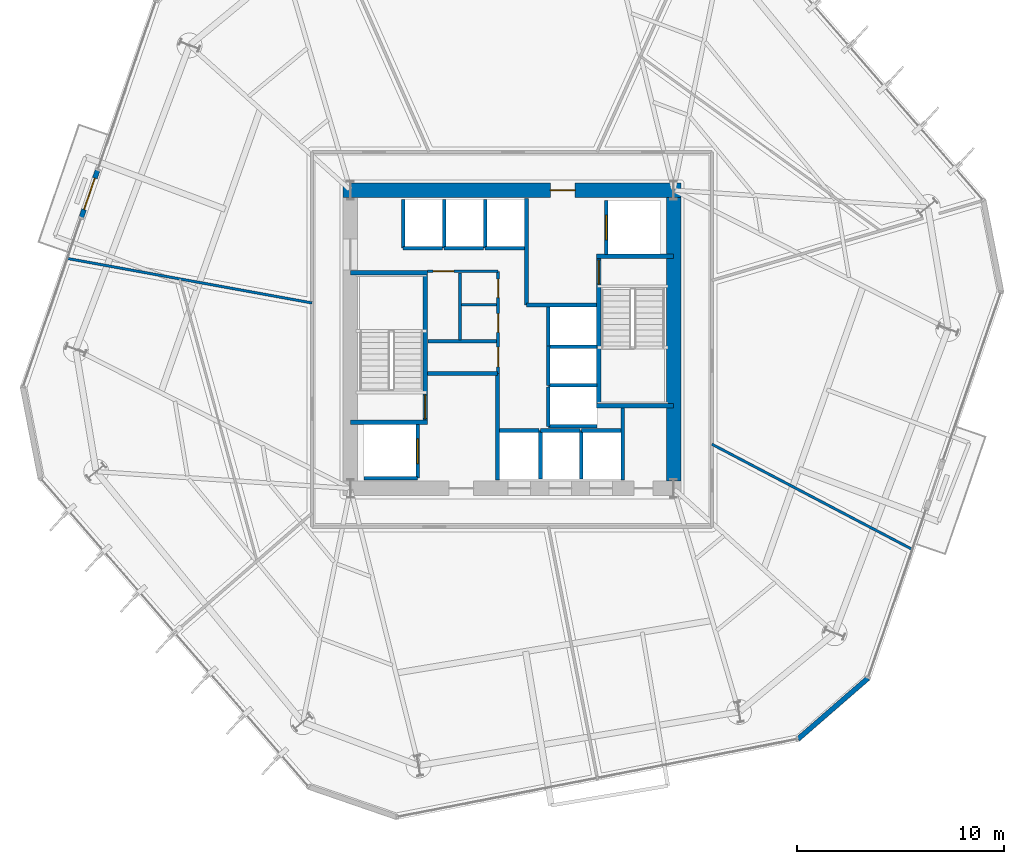
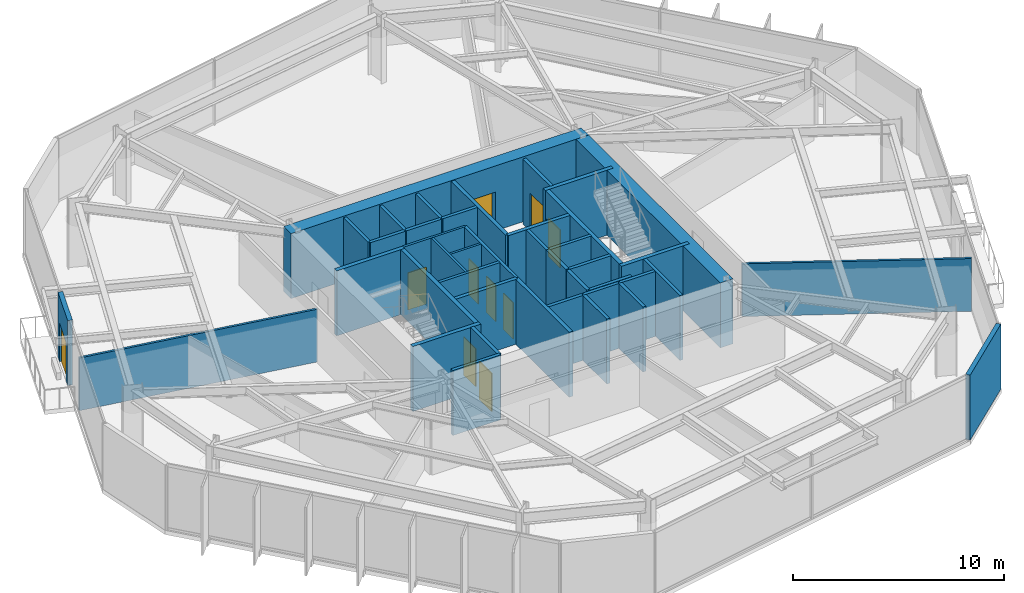
# One storey, part 6 of 10: 42 walls, 10 doors, 10 openings.
"""IFC4 building model written with IfcOpenShell, lengths in metres."""

from ifc_helpers import new_model, si_unit, direction, frame, frame_2d, origin, place, context, subcontext, project, spatial, rectangle, extrude, material, layer, layer_set, type_object, element, fill, save


model = new_model("IFC4")

# Units and contexts
model_context = context("Model", 3, precision=1e-05, world=origin(), true_north=direction((0.0, 1.0)))
body_context = subcontext(model_context, "Body", "Model", "MODEL_VIEW")
ifc_project = project(units=[si_unit("LENGTHUNIT", "METRE"), si_unit("AREAUNIT", "SQUARE_METRE"), si_unit("VOLUMEUNIT", "CUBIC_METRE"), si_unit("PLANEANGLEUNIT", "RADIAN"), si_unit("MASSUNIT", "GRAM", prefix="KILO")], contexts=[model_context])

# Site, building, storey
site_placement = place(None, origin())
site = spatial("IfcSite", under=ifc_project, at=site_placement, CompositionType="ELEMENT")
building_placement = place(site_placement, origin())
building = spatial("IfcBuilding", under=site, at=building_placement, Name="Kranzbogen Civic Tower", CompositionType="ELEMENT")
storey_placement = place(building_placement, frame((0.0, 0.0, 64.0)))
storey = spatial("IfcBuildingStorey", under=building, at=storey_placement, Name="L15", CompositionType="ELEMENT", Elevation=64.0)

# Wall, opening, door
ifc_material_1 = material(Name="Insulated Metal-Stud Gypsum Partition")
ifc_layer_1 = layer(ifc_material_1, 0.125, Name="Insulated Metal-Stud Gypsum Partition")
ifc_layer_set_1 = layer_set([ifc_layer_1], Name="Insulated Metal-Stud Gypsum Partition")
wall_type_1 = type_object("IfcWallType", Name="Acoustic Inter-Room Partition 125 mm", PredefinedType="PARTITIONING", material=ifc_layer_set_1)
wall_1_placement = place(storey_placement, frame((20.919921875, 28.280029296875, 0.0), z_axis=(0.0, 0.0, 1.0), x_axis=(1.0, 0.0, 0.0)))
wall_1 = element("IfcWall", 1, at=wall_1_placement, inside=storey, type_object=wall_type_1, Name="L15 core auxiliary North wall", PredefinedType="PARTITIONING", context=body_context, shape_type="SweptSolid", body=[
    extrude(rectangle(XDim=3.405029296875, YDim=0.125, at=frame_2d((1.70263671875, 0.0))), origin(), (0.0, 0.0, 1.0), 3.760009765625),
])
opening_1_placement = place(wall_1_placement, frame((0.27001953125, 0.0, 0.0)))
opening_1 = element("IfcOpeningElement", 2, at=opening_1_placement, cuts=wall_1, Name="Opening D-RSR10", PredefinedType="OPENING", context=body_context, shape_type="SweptSolid", body=[
    extrude(rectangle(XDim=1.0, YDim=2.14990234375, at=frame_2d((0.5, 1.074951171875))), frame((0.0, 0.072509765625, 0.0), z_axis=(0.0, -1.0, 0.0), x_axis=(1.0, 0.0, 0.0)), (0.0, 0.0, 1.0), 0.14501953125),
])
ifc_material_2 = material(Name="Oak Timber and Fire Core", Category="wood")
door_type_1 = type_object("IfcDoorType", Name="Core Archive and Riser Fire Door 1000x2150", OperationType="NOTDEFINED", PredefinedType="DOOR", material=ifc_material_2)
door_1_placement = place(opening_1_placement, origin())
door_1 = element("IfcDoor", 3, at=door_1_placement, inside=storey, type_object=door_type_1, Name="L15 Floor Supply Store door", OperationType="SINGLE_SWING_LEFT", OverallHeight=2.14990234375, OverallWidth=1.0, PredefinedType="DOOR", context=body_context, shape_type="SweptSolid", body=[
    extrude(rectangle(XDim=1.0, YDim=2.14990234375, at=frame_2d((0.5, 1.074951171875))), frame((0.0, 0.02490234375, 0.0), z_axis=(0.0, -1.0, 0.0), x_axis=(1.0, 0.0, 0.0)), (0.0, 0.0, 1.0), 0.050048828125),
])
fill(opening_1, door_1)

# Walls
wall_2_placement = place(storey_placement, frame((22.489990234375, 24.969970703125, 0.0), z_axis=(0.0, 0.0, 1.0), x_axis=(0.0, 1.0, 0.0)))
element("IfcWall", 4, at=wall_2_placement, inside=storey, type_object=wall_type_1, Name="L15 core auxiliary partition 2", PredefinedType="PARTITIONING", context=body_context, shape_type="SweptSolid", body=[
    extrude(rectangle(XDim=3.22998046875, YDim=0.125, at=frame_2d((1.614990234375, 0.0))), origin(), (0.0, 0.0, 1.0), 3.760009765625),
])
wall_3_placement = place(storey_placement, frame((22.550048828125, 26.659912109375, 0.0), z_axis=(0.0, 0.0, 1.0), x_axis=(1.0, 0.0, 0.0)))
element("IfcWall", 5, at=wall_3_placement, inside=storey, type_object=wall_type_1, Name="L15 core auxiliary partition 3", PredefinedType="PARTITIONING", context=body_context, shape_type="SweptSolid", body=[
    extrude(rectangle(XDim=1.699951171875, YDim=0.125, at=frame_2d((0.85009765625, 0.0))), origin(), (0.0, 0.0, 1.0), 3.760009765625),
])
wall_4_placement = place(storey_placement, frame((15.35009765625, 26.7548828125, 0.0), z_axis=(0.0, 0.0, 1.0), x_axis=(-0.983855255801, 0.178966018093, 0.0)))
element("IfcWall", 6, at=wall_4_placement, inside=storey, type_object=wall_type_1, Name="L15 radial room partition 03", PredefinedType="PARTITIONING", context=body_context, shape_type="SweptSolid", body=[
    extrude(rectangle(XDim=11.997802734375, YDim=0.125, at=frame_2d((5.9990234375, 0.0))), origin(), (0.0, 0.0, 1.0), 3.050048828125),
])
wall_5_placement = place(storey_placement, frame((34.64990234375, 19.93603515625, 0.0), z_axis=(0.0, 0.0, 1.0), x_axis=(0.885490007515, -0.464658419262, 0.0)))
element("IfcWall", 7, at=wall_5_placement, inside=storey, type_object=wall_type_1, Name="L15 radial room partition 06", PredefinedType="PARTITIONING", context=body_context, shape_type="SweptSolid", body=[
    extrude(rectangle(XDim=10.9072265625, YDim=0.125, at=frame_2d((5.45361328125, 0.0))), origin(), (0.0, 0.0, 1.0), 3.050048828125),
])

# Wall, opening, door
ifc_material_3 = material(Name="Concrete C55/67", Category="concrete")
ifc_layer_2 = layer(ifc_material_3, 0.699951171875, Name="Concrete C55/67")
ifc_layer_set_2 = layer_set([ifc_layer_2], Name="Concrete C55/67")
wall_type_2 = type_object("IfcWallType", Name="Central Core Shear Wall 700 mm", PredefinedType="SHEAR", material=ifc_layer_set_2)
wall_6_placement = place(storey_placement, frame((33.14990234375, 32.199951171875, 0.0), z_axis=(0.0, 0.0, 1.0), x_axis=(-1.0, 0.0, 0.0)))
wall_6 = element("IfcWall", 8, at=wall_6_placement, inside=storey, type_object=wall_type_2, Name="L15 central core North shear wall", PredefinedType="SHEAR", context=body_context, shape_type="SweptSolid", body=[
    extrude(rectangle(XDim=16.2998046875, YDim=0.699951171875, at=frame_2d((8.14990234375, 0.0))), origin(), (0.0, 0.0, 1.0), 3.760009765625),
])
opening_2_placement = place(wall_6_placement, frame((5.10009765625, 0.0, 0.0)))
opening_2 = element("IfcOpeningElement", 9, at=opening_2_placement, cuts=wall_6, Name="Opening D-EX120", PredefinedType="OPENING", context=body_context, shape_type="SweptSolid", body=[
    extrude(rectangle(XDim=1.199951171875, YDim=2.25, at=frame_2d((0.60009765625, 1.125))), frame((0.0, 0.35986328125, 0.0), z_axis=(0.0, -1.0, 0.0), x_axis=(1.0, 0.0, 0.0)), (0.0, 0.0, 1.0), 0.719970703125),
])
ifc_material_4 = material(Name="Steel S355", Category="steel")
door_type_2 = type_object("IfcDoorType", Name="Exit Passageway Fire Door 1200x2250", OperationType="NOTDEFINED", PredefinedType="DOOR", material=ifc_material_4)
door_2_placement = place(opening_2_placement, origin())
door_2 = element("IfcDoor", 10, at=door_2_placement, inside=storey, type_object=door_type_2, Name="L15 East firefighting lobby corridor door", OperationType="SINGLE_SWING_LEFT", OverallHeight=2.25, OverallWidth=1.199951171875, PredefinedType="DOOR", context=body_context, shape_type="SweptSolid", body=[
    extrude(rectangle(XDim=1.199951171875, YDim=2.25, at=frame_2d((0.60009765625, 1.125))), frame((0.0, 0.02490234375, 0.0), z_axis=(0.0, -1.0, 0.0), x_axis=(1.0, 0.0, 0.0)), (0.0, 0.0, 1.0), 0.050048828125),
])
fill(opening_2, door_2)

# Wall
wall_7_placement = place(storey_placement, frame((32.800048828125, 18.14990234375, 0.0), z_axis=(0.0, 0.0, 1.0), x_axis=(0.0, 1.0, 0.0)))
element("IfcWall", 11, at=wall_7_placement, inside=storey, type_object=wall_type_2, Name="L15 central core East shear wall", PredefinedType="SHEAR", context=body_context, shape_type="SweptSolid", body=[
    extrude(rectangle(XDim=13.7001953125, YDim=0.699951171875, at=frame_2d((6.85009765625, 0.0))), origin(), (0.0, 0.0, 1.0), 3.760009765625),
])

# Wall, opening, door
ifc_material_5 = material(Name="Concrete C45/55", Category="concrete")
ifc_layer_3 = layer(ifc_material_5, 0.219970703125, Name="Concrete C45/55")
ifc_layer_set_3 = layer_set([ifc_layer_3], Name="Concrete C45/55")
wall_type_3 = type_object("IfcWallType", Name="Core Internal Stair Structural Wall 220 mm", PredefinedType="SOLIDWALL", material=ifc_layer_set_3)
wall_8_placement = place(storey_placement, frame((20.81005859375, 20.989990234375, 0.0), z_axis=(0.0, 0.0, 1.0), x_axis=(0.0, 1.0, 0.0)))
wall_8 = element("IfcWall", 12, at=wall_8_placement, inside=storey, type_object=wall_type_3, Name="L15 ST-T1 East structural stair wall", PredefinedType="SOLIDWALL", context=body_context, shape_type="SweptSolid", body=[
    extrude(rectangle(XDim=7.219970703125, YDim=0.219970703125, at=frame_2d((3.60986328125, 0.0))), origin(), (0.0, 0.0, 1.0), 3.760009765625),
])
opening_3_placement = place(wall_8_placement, frame((0.179931640625, 0.0, 0.0)))
opening_3 = element("IfcOpeningElement", 13, at=opening_3_placement, cuts=wall_8, Name="Opening D-ST90", PredefinedType="OPENING", context=body_context, shape_type="SweptSolid", body=[
    extrude(rectangle(XDim=1.14990234375, YDim=2.199951171875, at=frame_2d((0.574951171875, 1.10009765625))), frame((0.0, 0.1201171875, 0.0), z_axis=(0.0, -1.0, 0.0), x_axis=(1.0, 0.0, 0.0)), (0.0, 0.0, 1.0), 0.239990234375),
])
door_type_3 = type_object("IfcDoorType", Name="Pressurized Stair and Lobby Fire Door 1150x2200", OperationType="NOTDEFINED", PredefinedType="DOOR", material=ifc_material_4)
door_3_placement = place(opening_3_placement, origin())
door_3 = element("IfcDoor", 14, at=door_3_placement, inside=storey, type_object=door_type_3, Name="L15 Stair ST-T1 fire door", OperationType="SINGLE_SWING_RIGHT", OverallHeight=2.199951171875, OverallWidth=1.14990234375, PredefinedType="DOOR", context=body_context, shape_type="SweptSolid", body=[
    extrude(rectangle(XDim=1.14990234375, YDim=2.199951171875, at=frame_2d((0.574951171875, 1.10009765625))), frame((0.0, 0.02490234375, 0.0), z_axis=(0.0, -1.0, 0.0), x_axis=(1.0, 0.0, 0.0)), (0.0, 0.0, 1.0), 0.050048828125),
])
fill(opening_3, door_3)

# Walls
for number, where, z_axis, x_axis, name in (
    (15, (17.199951171875, 20.989990234375, 0.0), (0.0, 0.0, 1.0), (1.0, 0.0, 0.0), "L15 ST-T1 South structural stair wall"),
    (16, (17.199951171875, 28.2099609375, 0.0), (0.0, 0.0, 1.0), (1.0, 0.0, 0.0), "L15 ST-T1 North structural stair wall"),
):
    element("IfcWall", number, at=place(storey_placement, frame(where, z_axis=z_axis, x_axis=x_axis)), inside=storey, type_object=wall_type_3, Name=name, PredefinedType="SOLIDWALL", context=body_context, shape_type="SweptSolid", body=[
        extrude(rectangle(XDim=3.719970703125, YDim=0.219970703125, at=frame_2d((1.85986328125, 0.0))), origin(), (0.0, 0.0, 1.0), 3.760009765625),
    ])

# Wall, opening, door
wall_9_placement = place(storey_placement, frame((29.18994140625, 21.7900390625, 0.0), z_axis=(0.0, 0.0, 1.0), x_axis=(0.0, 1.0, 0.0)))
wall_9 = element("IfcWall", 17, at=wall_9_placement, inside=storey, type_object=wall_type_3, Name="L15 ST-T2 West structural stair wall", PredefinedType="SOLIDWALL", context=body_context, shape_type="SweptSolid", body=[
    extrude(rectangle(XDim=7.219970703125, YDim=0.219970703125, at=frame_2d((3.60986328125, 0.0))), origin(), (0.0, 0.0, 1.0), 3.760009765625),
])
opening_4_placement = place(wall_9_placement, frame((5.8798828125, 0.0, 0.0)))
opening_4 = element("IfcOpeningElement", 18, at=opening_4_placement, cuts=wall_9, Name="Opening D-ST90", PredefinedType="OPENING", context=body_context, shape_type="SweptSolid", body=[
    extrude(rectangle(XDim=1.14990234375, YDim=2.199951171875, at=frame_2d((0.574951171875, 1.10009765625))), frame((0.0, 0.1201171875, 0.0), z_axis=(0.0, -1.0, 0.0), x_axis=(1.0, 0.0, 0.0)), (0.0, 0.0, 1.0), 0.239990234375),
])
door_4_placement = place(opening_4_placement, origin())
door_4 = element("IfcDoor", 19, at=door_4_placement, inside=storey, type_object=door_type_3, Name="L15 Stair ST-T2 fire door", OperationType="SINGLE_SWING_LEFT", OverallHeight=2.199951171875, OverallWidth=1.14990234375, PredefinedType="DOOR", context=body_context, shape_type="SweptSolid", body=[
    extrude(rectangle(XDim=1.14990234375, YDim=2.199951171875, at=frame_2d((0.574951171875, 1.10009765625))), frame((0.0, 0.02490234375, 0.0), z_axis=(0.0, -1.0, 0.0), x_axis=(1.0, 0.0, 0.0)), (0.0, 0.0, 1.0), 0.050048828125),
])
fill(opening_4, door_4)

# Walls
for number, where, z_axis, x_axis, name in (
    (20, (29.080078125, 21.7900390625, 0.0), (0.0, 0.0, 1.0), (1.0, 0.0, 0.0), "L15 ST-T2 South structural stair wall"),
    (21, (29.080078125, 29.010009765625, 0.0), (0.0, 0.0, 1.0), (1.0, 0.0, 0.0), "L15 ST-T2 North structural stair wall"),
):
    element("IfcWall", number, at=place(storey_placement, frame(where, z_axis=z_axis, x_axis=x_axis)), inside=storey, type_object=wall_type_3, Name=name, PredefinedType="SOLIDWALL", context=body_context, shape_type="SweptSolid", body=[
        extrude(rectangle(XDim=3.719970703125, YDim=0.219970703125, at=frame_2d((1.85986328125, 0.0))), origin(), (0.0, 0.0, 1.0), 3.760009765625),
    ])
ifc_material_6 = material(Name="Gypsum Fireboard and Concrete Block", Category="concrete")
ifc_layer_4 = layer(ifc_material_6, 0.199951171875, Name="Gypsum Fireboard and Concrete Block")
ifc_layer_set_4 = layer_set([ifc_layer_4], Name="Gypsum Fireboard and Concrete Block")
wall_type_4 = type_object("IfcWallType", Name="Fire-Rated Exit Passageway and Stair Wall 200 mm", PredefinedType="PARTITIONING", material=ifc_layer_set_4)
wall_10_placement = place(storey_placement, frame((24.300048828125, 18.199951171875, 0.0), z_axis=(0.0, 0.0, 1.0), x_axis=(0.0, 1.0, 0.0)))
element("IfcWall", 22, at=wall_10_placement, inside=storey, type_object=wall_type_4, Name="L15 West firefighting lobby East wall", PredefinedType="PARTITIONING", context=body_context, shape_type="SweptSolid", body=[
    extrude(rectangle(XDim=5.150146484375, YDim=0.199951171875, at=frame_2d((2.5751953125, 0.0))), origin(), (0.0, 0.0, 1.0), 3.760009765625),
])
wall_11_placement = place(storey_placement, frame((20.919921875, 23.35009765625, 0.0), z_axis=(0.0, 0.0, 1.0), x_axis=(1.0, 0.0, 0.0)))
element("IfcWall", 23, at=wall_11_placement, inside=storey, type_object=wall_type_4, Name="L15 West firefighting lobby North wall", PredefinedType="PARTITIONING", context=body_context, shape_type="SweptSolid", body=[
    extrude(rectangle(XDim=3.380126953125, YDim=0.199951171875, at=frame_2d((1.68994140625, 0.0))), origin(), (0.0, 0.0, 1.0), 3.760009765625),
])
wall_12_placement = place(storey_placement, frame((25.699951171875, 26.64990234375, 0.0), z_axis=(0.0, 0.0, 1.0), x_axis=(0.0, 1.0, 0.0)))
element("IfcWall", 24, at=wall_12_placement, inside=storey, type_object=wall_type_4, Name="L15 East firefighting lobby West wall", PredefinedType="PARTITIONING", context=body_context, shape_type="SweptSolid", body=[
    extrude(rectangle(XDim=5.150146484375, YDim=0.199951171875, at=frame_2d((2.5751953125, 0.0))), origin(), (0.0, 0.0, 1.0), 3.760009765625),
])
wall_13_placement = place(storey_placement, frame((25.699951171875, 26.64990234375, 0.0), z_axis=(0.0, 0.0, 1.0), x_axis=(1.0, 0.0, 0.0)))
element("IfcWall", 25, at=wall_13_placement, inside=storey, type_object=wall_type_4, Name="L15 East firefighting lobby South wall", PredefinedType="PARTITIONING", context=body_context, shape_type="SweptSolid", body=[
    extrude(rectangle(XDim=3.380126953125, YDim=0.199951171875, at=frame_2d((1.68994140625, 0.0))), origin(), (0.0, 0.0, 1.0), 3.760009765625),
])
ifc_material_7 = material(Name="Gypsum Fireboard Shaftliner")
ifc_layer_5 = layer(ifc_material_7, 0.175048828125, Name="Gypsum Fireboard Shaftliner")
ifc_layer_set_5 = layer_set([ifc_layer_5], Name="Gypsum Fireboard Shaftliner")
wall_type_5 = type_object("IfcWallType", Name="Fire-Rated Lift and Service Shaft Wall 175 mm", PredefinedType="PARTITIONING", material=ifc_layer_set_5)
wall_14_placement = place(storey_placement, frame((30.35009765625, 18.199951171875, 0.0), z_axis=(0.0, 0.0, 1.0), x_axis=(0.0, 1.0, 0.0)))
element("IfcWall", 26, at=wall_14_placement, inside=storey, type_object=wall_type_5, Name="L15 East core riser West wall", PredefinedType="PARTITIONING", context=body_context, shape_type="SweptSolid", body=[
    extrude(rectangle(XDim=3.47998046875, YDim=0.175048828125, at=frame_2d((1.739990234375, 0.0))), origin(), (0.0, 0.0, 1.0), 3.760009765625),
])
wall_15_placement = place(storey_placement, frame((24.39990234375, 20.60009765625, 0.0), z_axis=(0.0, 0.0, 1.0), x_axis=(1.0, 0.0, 0.0)))
element("IfcWall", 27, at=wall_15_placement, inside=storey, type_object=wall_type_5, Name="L15 lift LP-01 rear wall", PredefinedType="PARTITIONING", context=body_context, shape_type="SweptSolid", body=[
    extrude(rectangle(XDim=1.900146484375, YDim=0.175048828125, at=frame_2d((0.9501953125, 0.0))), origin(), (0.0, 0.0, 1.0), 3.760009765625),
])
wall_16_placement = place(storey_placement, frame((26.375, 20.60009765625, 0.0), z_axis=(0.0, 0.0, 1.0), x_axis=(1.0, 0.0, 0.0)))
element("IfcWall", 28, at=wall_16_placement, inside=storey, type_object=wall_type_5, Name="L15 lift LP-02 rear wall", PredefinedType="PARTITIONING", context=body_context, shape_type="SweptSolid", body=[
    extrude(rectangle(XDim=1.89990234375, YDim=0.175048828125, at=frame_2d((0.949951171875, 0.0))), origin(), (0.0, 0.0, 1.0), 3.760009765625),
])
wall_17_placement = place(storey_placement, frame((26.375, 18.25, 0.0), z_axis=(0.0, 0.0, 1.0), x_axis=(0.0, 1.0, 0.0)))
element("IfcWall", 29, at=wall_17_placement, inside=storey, type_object=wall_type_5, Name="L15 lift LP-02 side wall", PredefinedType="PARTITIONING", context=body_context, shape_type="SweptSolid", body=[
    extrude(rectangle(XDim=2.35009765625, YDim=0.175048828125, at=frame_2d((1.175048828125, 0.0))), origin(), (0.0, 0.0, 1.0), 3.760009765625),
])
wall_18_placement = place(storey_placement, frame((28.35009765625, 20.60009765625, 0.0), z_axis=(0.0, 0.0, 1.0), x_axis=(1.0, 0.0, 0.0)))
element("IfcWall", 30, at=wall_18_placement, inside=storey, type_object=wall_type_5, Name="L15 lift LP-03 rear wall", PredefinedType="PARTITIONING", context=body_context, shape_type="SweptSolid", body=[
    extrude(rectangle(XDim=1.89990234375, YDim=0.175048828125, at=frame_2d((0.949951171875, 0.0))), origin(), (0.0, 0.0, 1.0), 3.760009765625),
])
wall_19_placement = place(storey_placement, frame((28.35009765625, 18.25, 0.0), z_axis=(0.0, 0.0, 1.0), x_axis=(0.0, 1.0, 0.0)))
element("IfcWall", 31, at=wall_19_placement, inside=storey, type_object=wall_type_5, Name="L15 lift LP-03 side wall", PredefinedType="PARTITIONING", context=body_context, shape_type="SweptSolid", body=[
    extrude(rectangle(XDim=2.35009765625, YDim=0.175048828125, at=frame_2d((1.175048828125, 0.0))), origin(), (0.0, 0.0, 1.0), 3.760009765625),
])
wall_20_placement = place(storey_placement, frame((19.75, 29.39990234375, 0.0), z_axis=(0.0, 0.0, 1.0), x_axis=(1.0, 0.0, 0.0)))
element("IfcWall", 32, at=wall_20_placement, inside=storey, type_object=wall_type_5, Name="L15 lift MP-01 rear wall", PredefinedType="PARTITIONING", context=body_context, shape_type="SweptSolid", body=[
    extrude(rectangle(XDim=1.89990234375, YDim=0.175048828125, at=frame_2d((0.949951171875, 0.0))), origin(), (0.0, 0.0, 1.0), 3.760009765625),
])
wall_21_placement = place(storey_placement, frame((19.75, 29.39990234375, 0.0), z_axis=(0.0, 0.0, 1.0), x_axis=(0.0, 1.0, 0.0)))
element("IfcWall", 33, at=wall_21_placement, inside=storey, type_object=wall_type_5, Name="L15 lift MP-01 side wall", PredefinedType="PARTITIONING", context=body_context, shape_type="SweptSolid", body=[
    extrude(rectangle(XDim=2.35009765625, YDim=0.175048828125, at=frame_2d((1.175048828125, 0.0))), origin(), (0.0, 0.0, 1.0), 3.760009765625),
])
wall_22_placement = place(storey_placement, frame((21.72509765625, 29.39990234375, 0.0), z_axis=(0.0, 0.0, 1.0), x_axis=(1.0, 0.0, 0.0)))
element("IfcWall", 34, at=wall_22_placement, inside=storey, type_object=wall_type_5, Name="L15 lift MP-02 rear wall", PredefinedType="PARTITIONING", context=body_context, shape_type="SweptSolid", body=[
    extrude(rectangle(XDim=1.89990234375, YDim=0.175048828125, at=frame_2d((0.949951171875, 0.0))), origin(), (0.0, 0.0, 1.0), 3.760009765625),
])
wall_23_placement = place(storey_placement, frame((21.72509765625, 29.39990234375, 0.0), z_axis=(0.0, 0.0, 1.0), x_axis=(0.0, 1.0, 0.0)))
element("IfcWall", 35, at=wall_23_placement, inside=storey, type_object=wall_type_5, Name="L15 lift MP-02 side wall", PredefinedType="PARTITIONING", context=body_context, shape_type="SweptSolid", body=[
    extrude(rectangle(XDim=2.35009765625, YDim=0.175048828125, at=frame_2d((1.175048828125, 0.0))), origin(), (0.0, 0.0, 1.0), 3.760009765625),
])
wall_24_placement = place(storey_placement, frame((23.699951171875, 29.39990234375, 0.0), z_axis=(0.0, 0.0, 1.0), x_axis=(1.0, 0.0, 0.0)))
element("IfcWall", 36, at=wall_24_placement, inside=storey, type_object=wall_type_5, Name="L15 lift MP-03 rear wall", PredefinedType="PARTITIONING", context=body_context, shape_type="SweptSolid", body=[
    extrude(rectangle(XDim=1.900146484375, YDim=0.175048828125, at=frame_2d((0.9501953125, 0.0))), origin(), (0.0, 0.0, 1.0), 3.760009765625),
])
wall_25_placement = place(storey_placement, frame((23.699951171875, 29.39990234375, 0.0), z_axis=(0.0, 0.0, 1.0), x_axis=(0.0, 1.0, 0.0)))
element("IfcWall", 37, at=wall_25_placement, inside=storey, type_object=wall_type_5, Name="L15 lift MP-03 side wall", PredefinedType="PARTITIONING", context=body_context, shape_type="SweptSolid", body=[
    extrude(rectangle(XDim=2.35009765625, YDim=0.175048828125, at=frame_2d((1.175048828125, 0.0))), origin(), (0.0, 0.0, 1.0), 3.760009765625),
])
wall_26_placement = place(storey_placement, frame((26.75, 20.800048828125, 0.0), z_axis=(0.0, 0.0, 1.0), x_axis=(0.0, 1.0, 0.0)))
element("IfcWall", 38, at=wall_26_placement, inside=storey, type_object=wall_type_5, Name="L15 lift HP-01 landing wall", PredefinedType="PARTITIONING", context=body_context, shape_type="SweptSolid", body=[
    extrude(rectangle(XDim=1.89990234375, YDim=0.175048828125, at=frame_2d((0.949951171875, 0.0))), origin(), (0.0, 0.0, 1.0), 3.760009765625),
])
wall_27_placement = place(storey_placement, frame((26.75, 20.800048828125, 0.0), z_axis=(0.0, 0.0, 1.0), x_axis=(1.0, 0.0, 0.0)))
element("IfcWall", 39, at=wall_27_placement, inside=storey, type_object=wall_type_5, Name="L15 lift HP-01 side wall", PredefinedType="PARTITIONING", context=body_context, shape_type="SweptSolid", body=[
    extrude(rectangle(XDim=2.35009765625, YDim=0.175048828125, at=frame_2d((1.175048828125, 0.0))), origin(), (0.0, 0.0, 1.0), 3.760009765625),
])
wall_28_placement = place(storey_placement, frame((26.75, 22.77490234375, 0.0), z_axis=(0.0, 0.0, 1.0), x_axis=(0.0, 1.0, 0.0)))
element("IfcWall", 40, at=wall_28_placement, inside=storey, type_object=wall_type_5, Name="L15 lift HP-02 landing wall", PredefinedType="PARTITIONING", context=body_context, shape_type="SweptSolid", body=[
    extrude(rectangle(XDim=1.900146484375, YDim=0.175048828125, at=frame_2d((0.9501953125, 0.0))), origin(), (0.0, 0.0, 1.0), 3.760009765625),
])
wall_29_placement = place(storey_placement, frame((26.75, 22.77490234375, 0.0), z_axis=(0.0, 0.0, 1.0), x_axis=(1.0, 0.0, 0.0)))
element("IfcWall", 41, at=wall_29_placement, inside=storey, type_object=wall_type_5, Name="L15 lift HP-02 side wall", PredefinedType="PARTITIONING", context=body_context, shape_type="SweptSolid", body=[
    extrude(rectangle(XDim=2.35009765625, YDim=0.175048828125, at=frame_2d((1.175048828125, 0.0))), origin(), (0.0, 0.0, 1.0), 3.760009765625),
])
wall_30_placement = place(storey_placement, frame((26.75, 24.64990234375, 0.0), z_axis=(0.0, 0.0, 1.0), x_axis=(0.0, 1.0, 0.0)))
element("IfcWall", 42, at=wall_30_placement, inside=storey, type_object=wall_type_5, Name="L15 lift HP-03 landing wall", PredefinedType="PARTITIONING", context=body_context, shape_type="SweptSolid", body=[
    extrude(rectangle(XDim=1.900146484375, YDim=0.175048828125, at=frame_2d((0.9501953125, 0.0))), origin(), (0.0, 0.0, 1.0), 3.760009765625),
])
wall_31_placement = place(storey_placement, frame((26.75, 24.64990234375, 0.0), z_axis=(0.0, 0.0, 1.0), x_axis=(1.0, 0.0, 0.0)))
element("IfcWall", 43, at=wall_31_placement, inside=storey, type_object=wall_type_5, Name="L15 lift HP-03 side wall", PredefinedType="PARTITIONING", context=body_context, shape_type="SweptSolid", body=[
    extrude(rectangle(XDim=2.35009765625, YDim=0.175048828125, at=frame_2d((1.175048828125, 0.0))), origin(), (0.0, 0.0, 1.0), 3.760009765625),
])

# Wall, opening, door
wall_32_placement = place(storey_placement, frame((20.449951171875, 18.300048828125, 0.0), z_axis=(0.0, 0.0, 1.0), x_axis=(0.0, 1.0, 0.0)))
wall_32 = element("IfcWall", 44, at=wall_32_placement, inside=storey, type_object=wall_type_5, Name="L15 lift FF-01 landing wall", PredefinedType="PARTITIONING", context=body_context, shape_type="SweptSolid", body=[
    extrude(rectangle(XDim=2.599853515625, YDim=0.175048828125, at=frame_2d((1.2998046875, 0.0))), origin(), (0.0, 0.0, 1.0), 3.760009765625),
])
opening_5_placement = place(wall_32_placement, frame((0.699951171875, 0.0, 0.0)))
opening_5 = element("IfcOpeningElement", 45, at=opening_5_placement, cuts=wall_32, Name="Opening LD-FF-01", PredefinedType="OPENING", context=body_context, shape_type="SweptSolid", body=[
    extrude(rectangle(XDim=1.199951171875, YDim=2.199951171875, at=frame_2d((0.60009765625, 1.10009765625))), frame((0.0, 0.09765625, 0.0), z_axis=(0.0, -1.0, 0.0), x_axis=(1.0, 0.0, 0.0)), (0.0, 0.0, 1.0), 0.195068359375),
])
ifc_material_8 = material(Name="Pale Anodised Aluminium", Category="aluminium")
door_type_4 = type_object("IfcDoorType", Name="Firefighting and Stretcher Lift Sliding Landing Door 1200x2200", OperationType="DOUBLE_DOOR_SLIDING", PredefinedType="DOOR", material=ifc_material_8)
door_5_placement = place(opening_5_placement, origin())
door_5 = element("IfcDoor", 46, at=door_5_placement, inside=storey, type_object=door_type_4, Name="L15 lift FF-01 sliding landing door", OperationType="DOUBLE_DOOR_SLIDING", OverallHeight=2.199951171875, OverallWidth=1.199951171875, PredefinedType="DOOR", context=body_context, shape_type="SweptSolid", body=[
    extrude(rectangle(XDim=1.199951171875, YDim=2.199951171875, at=frame_2d((0.60009765625, 1.10009765625))), frame((0.0, 0.02490234375, 0.0), z_axis=(0.0, -1.0, 0.0), x_axis=(1.0, 0.0, 0.0)), (0.0, 0.0, 1.0), 0.050048828125),
])
fill(opening_5, door_5)

# Wall
wall_33_placement = place(storey_placement, frame((17.85009765625, 18.300048828125, 0.0), z_axis=(0.0, 0.0, 1.0), x_axis=(1.0, 0.0, 0.0)))
element("IfcWall", 47, at=wall_33_placement, inside=storey, type_object=wall_type_5, Name="L15 lift FF-01 side wall", PredefinedType="PARTITIONING", context=body_context, shape_type="SweptSolid", body=[
    extrude(rectangle(XDim=2.599853515625, YDim=0.175048828125, at=frame_2d((1.2998046875, 0.0))), origin(), (0.0, 0.0, 1.0), 3.760009765625),
])

# Wall, opening, door
wall_34_placement = place(storey_placement, frame((29.550048828125, 29.10009765625, 0.0), z_axis=(0.0, 0.0, 1.0), x_axis=(0.0, 1.0, 0.0)))
wall_34 = element("IfcWall", 48, at=wall_34_placement, inside=storey, type_object=wall_type_5, Name="L15 lift FF-02 landing wall", PredefinedType="PARTITIONING", context=body_context, shape_type="SweptSolid", body=[
    extrude(rectangle(XDim=2.599853515625, YDim=0.175048828125, at=frame_2d((1.2998046875, 0.0))), origin(), (0.0, 0.0, 1.0), 3.760009765625),
])
opening_6_placement = place(wall_34_placement, frame((0.699951171875, 0.0, 0.0)))
opening_6 = element("IfcOpeningElement", 49, at=opening_6_placement, cuts=wall_34, Name="Opening LD-FF-02", PredefinedType="OPENING", context=body_context, shape_type="SweptSolid", body=[
    extrude(rectangle(XDim=1.199951171875, YDim=2.199951171875, at=frame_2d((0.60009765625, 1.10009765625))), frame((0.0, 0.09765625, 0.0), z_axis=(0.0, -1.0, 0.0), x_axis=(1.0, 0.0, 0.0)), (0.0, 0.0, 1.0), 0.195068359375),
])
door_6_placement = place(opening_6_placement, origin())
door_6 = element("IfcDoor", 50, at=door_6_placement, inside=storey, type_object=door_type_4, Name="L15 lift FF-02 sliding landing door", OperationType="DOUBLE_DOOR_SLIDING", OverallHeight=2.199951171875, OverallWidth=1.199951171875, PredefinedType="DOOR", context=body_context, shape_type="SweptSolid", body=[
    extrude(rectangle(XDim=1.199951171875, YDim=2.199951171875, at=frame_2d((0.60009765625, 1.10009765625))), frame((0.0, 0.02490234375, 0.0), z_axis=(0.0, -1.0, 0.0), x_axis=(1.0, 0.0, 0.0)), (0.0, 0.0, 1.0), 0.050048828125),
])
fill(opening_6, door_6)

ifc_layer_6 = layer(ifc_material_8, 0.239990234375, Name="Pale Anodised Aluminium")
ifc_layer_set_6 = layer_set([ifc_layer_6], Name="Pale Anodised Aluminium")
wall_type_6 = type_object("IfcWallType", Name="Insulated Aluminium Facade Portal Wall 240 mm", PredefinedType="STANDARD", material=ifc_layer_set_6)
wall_35_placement = place(storey_placement, frame((4.992919921875, 33.157958984375, 0.0), z_axis=(0.0, 0.0, 1.0), x_axis=(-0.325460749755, -0.945555551181, 0.0)))
wall_35 = element("IfcWall", 51, at=wall_35_placement, inside=storey, type_object=wall_type_6, Name="L15 exterior entrance portal wall 1", PredefinedType="STANDARD", context=body_context, shape_type="SweptSolid", body=[
    extrude(rectangle(XDim=2.399658203125, YDim=0.239990234375, at=frame_2d((1.19970703125, 0.0))), origin(), (0.0, 0.0, 1.0), 3.760009765625),
])
opening_7_placement = place(wall_35_placement, frame((0.39990234375, 0.0, 0.0)))
opening_7 = element("IfcOpeningElement", 52, at=opening_7_placement, cuts=wall_35, Name="Opening D-TER", PredefinedType="OPENING", context=body_context, shape_type="SweptSolid", body=[
    extrude(rectangle(XDim=1.60009765625, YDim=2.25, at=frame_2d((0.800048828125, 1.125))), frame((0.0, 0.1298828125, 0.0), z_axis=(0.0, -1.0, 0.0), x_axis=(1.0, 0.0, 0.0)), (0.0, 0.0, 1.0), 0.260009765625),
])
ifc_material_9 = material(Name="Anodised Bronze and Triple Glass", Category="glass")
door_type_5 = type_object("IfcDoorType", Name="Glazed Terrace and Balcony Double Door 1600x2250", OperationType="DOUBLE_DOOR_SINGLE_SWING", PredefinedType="DOOR", material=ifc_material_9)
door_7_placement = place(opening_7_placement, frame((1.60009765625, 0.0, 0.0), z_axis=(0.0, 0.0, 1.0), x_axis=(-1.0, 0.0, 0.0)))
door_7 = element("IfcDoor", 53, at=door_7_placement, inside=storey, type_object=door_type_5, Name="L15 tree balcony access door L15-TB2", OperationType="DOUBLE_DOOR_SINGLE_SWING", OverallHeight=2.25, OverallWidth=1.60009765625, PredefinedType="DOOR", context=body_context, shape_type="SweptSolid", body=[
    extrude(rectangle(XDim=1.60009765625, YDim=2.25, at=frame_2d((0.800048828125, 1.125))), frame((0.0, 0.02490234375, 0.0), z_axis=(0.0, -1.0, 0.0), x_axis=(1.0, 0.0, 0.0)), (0.0, 0.0, 1.0), 0.050048828125),
])
fill(opening_7, door_7)

# Wall
wall_36_placement = place(storey_placement, frame((38.80810546875, 5.7080078125, 0.0), z_axis=(0.0, 0.0, 1.0), x_axis=(0.75466896477, 0.656105748804, 0.0)))
element("IfcWall", 54, at=wall_36_placement, inside=storey, type_object=wall_type_6, Name="L15 chamfered corner facade spandrel 5", PredefinedType="STANDARD", context=body_context, shape_type="SweptSolid", body=[
    extrude(rectangle(XDim=4.473388671875, YDim=0.239990234375, at=frame_2d((2.23681640625, 0.0))), origin(), (0.0, 0.0, 1.0), 3.760009765625),
])

# Wall, openings, doors
ifc_material_10 = material(Name="Moisture-Resistant Gypsum Assembly")
ifc_layer_7 = layer(ifc_material_10, 0.159912109375, Name="Moisture-Resistant Gypsum Assembly")
ifc_layer_set_7 = layer_set([ifc_layer_7], Name="Moisture-Resistant Gypsum Assembly")
wall_type_7 = type_object("IfcWallType", Name="Sanitary and Plumbing Wet Wall 160 mm", PredefinedType="PLUMBINGWALL", material=ifc_layer_set_7)
wall_37_placement = place(storey_placement, frame((24.324951171875, 23.35009765625, 0.0), z_axis=(0.0, 0.0, 1.0), x_axis=(0.0, 1.0, 0.0)))
wall_37 = element("IfcWall", 55, at=wall_37_placement, inside=storey, type_object=wall_type_7, Name="L15 core auxiliary East wall", PredefinedType="PLUMBINGWALL", context=body_context, shape_type="SweptSolid", body=[
    extrude(rectangle(XDim=4.929931640625, YDim=0.159912109375, at=frame_2d((2.46484375, 0.0))), origin(), (0.0, 0.0, 1.0), 3.760009765625),
])
opening_8_placement = place(wall_37_placement, frame((0.324951171875, 0.0, 0.0)))
opening_8 = element("IfcOpeningElement", 56, at=opening_8_placement, cuts=wall_37, Name="Opening D-AWC95", PredefinedType="OPENING", context=body_context, shape_type="SweptSolid", body=[
    extrude(rectangle(XDim=0.949951171875, YDim=2.10009765625, at=frame_2d((0.47509765625, 1.050048828125))), frame((0.0, 0.08984375, 0.0), z_axis=(0.0, -1.0, 0.0), x_axis=(1.0, 0.0, 0.0)), (0.0, 0.0, 1.0), 0.179931640625),
])
opening_9_placement = place(wall_37_placement, frame((1.985107421875, 0.0, 0.0)))
opening_9 = element("IfcOpeningElement", 57, at=opening_9_placement, cuts=wall_37, Name="Opening D-WC90", PredefinedType="OPENING", context=body_context, shape_type="SweptSolid", body=[
    extrude(rectangle(XDim=0.89990234375, YDim=2.10009765625, at=frame_2d((0.449951171875, 1.050048828125))), frame((0.0, 0.08984375, 0.0), z_axis=(0.0, -1.0, 0.0), x_axis=(1.0, 0.0, 0.0)), (0.0, 0.0, 1.0), 0.179931640625),
])
opening_10_placement = place(wall_37_placement, frame((3.659912109375, 0.0, 0.0)))
opening_10 = element("IfcOpeningElement", 58, at=opening_10_placement, cuts=wall_37, Name="Opening D-WC90", PredefinedType="OPENING", context=body_context, shape_type="SweptSolid", body=[
    extrude(rectangle(XDim=0.89990234375, YDim=2.10009765625, at=frame_2d((0.449951171875, 1.050048828125))), frame((0.0, 0.08984375, 0.0), z_axis=(0.0, -1.0, 0.0), x_axis=(1.0, 0.0, 0.0)), (0.0, 0.0, 1.0), 0.179931640625),
])
ifc_material_11 = material(Name="Moisture-Resistant Laminate")
door_type_6 = type_object("IfcDoorType", Name="Accessible Restroom Door 950x2100", OperationType="NOTDEFINED", PredefinedType="DOOR", material=ifc_material_11)
door_8_placement = place(opening_8_placement, origin())
door_8 = element("IfcDoor", 59, at=door_8_placement, inside=storey, type_object=door_type_6, Name="L15 Accessible Restroom door", OperationType="SINGLE_SWING_RIGHT", OverallHeight=2.10009765625, OverallWidth=0.949951171875, PredefinedType="DOOR", context=body_context, shape_type="SweptSolid", body=[
    extrude(rectangle(XDim=0.949951171875, YDim=2.10009765625, at=frame_2d((0.47509765625, 1.050048828125))), frame((0.0, 0.02490234375, 0.0), z_axis=(0.0, -1.0, 0.0), x_axis=(1.0, 0.0, 0.0)), (0.0, 0.0, 1.0), 0.050048828125),
])
fill(opening_8, door_8)
door_type_7 = type_object("IfcDoorType", Name="Standard Restroom and Store Door 900x2100", OperationType="NOTDEFINED", PredefinedType="DOOR", material=ifc_material_11)
door_9_placement = place(opening_9_placement, origin())
door_9 = element("IfcDoor", 60, at=door_9_placement, inside=storey, type_object=door_type_7, Name="L15 Gender-Neutral Restroom door", OperationType="SINGLE_SWING_LEFT", OverallHeight=2.10009765625, OverallWidth=0.89990234375, PredefinedType="DOOR", context=body_context, shape_type="SweptSolid", body=[
    extrude(rectangle(XDim=0.89990234375, YDim=2.10009765625, at=frame_2d((0.449951171875, 1.050048828125))), frame((0.0, 0.02490234375, 0.0), z_axis=(0.0, -1.0, 0.0), x_axis=(1.0, 0.0, 0.0)), (0.0, 0.0, 1.0), 0.050048828125),
])
fill(opening_9, door_9)
door_10_placement = place(opening_10_placement, origin())
door_10 = element("IfcDoor", 61, at=door_10_placement, inside=storey, type_object=door_type_7, Name="L15 Floor IT Patch Closet door", OperationType="SINGLE_SWING_RIGHT", OverallHeight=2.10009765625, OverallWidth=0.89990234375, PredefinedType="DOOR", context=body_context, shape_type="SweptSolid", body=[
    extrude(rectangle(XDim=0.89990234375, YDim=2.10009765625, at=frame_2d((0.449951171875, 1.050048828125))), frame((0.0, 0.02490234375, 0.0), z_axis=(0.0, -1.0, 0.0), x_axis=(1.0, 0.0, 0.0)), (0.0, 0.0, 1.0), 0.050048828125),
])
fill(opening_10, door_10)

# Wall
wall_38_placement = place(storey_placement, frame((20.949951171875, 24.909912109375, 0.0), z_axis=(0.0, 0.0, 1.0), x_axis=(1.0, 0.0, 0.0)))
element("IfcWall", 62, at=wall_38_placement, inside=storey, type_object=wall_type_7, Name="L15 core auxiliary partition 1", PredefinedType="PLUMBINGWALL", context=body_context, shape_type="SweptSolid", body=[
    extrude(rectangle(XDim=3.300048828125, YDim=0.159912109375, at=frame_2d((1.64990234375, 0.0))), origin(), (0.0, 0.0, 1.0), 3.760009765625),
])

save(model, "model.ifc")
